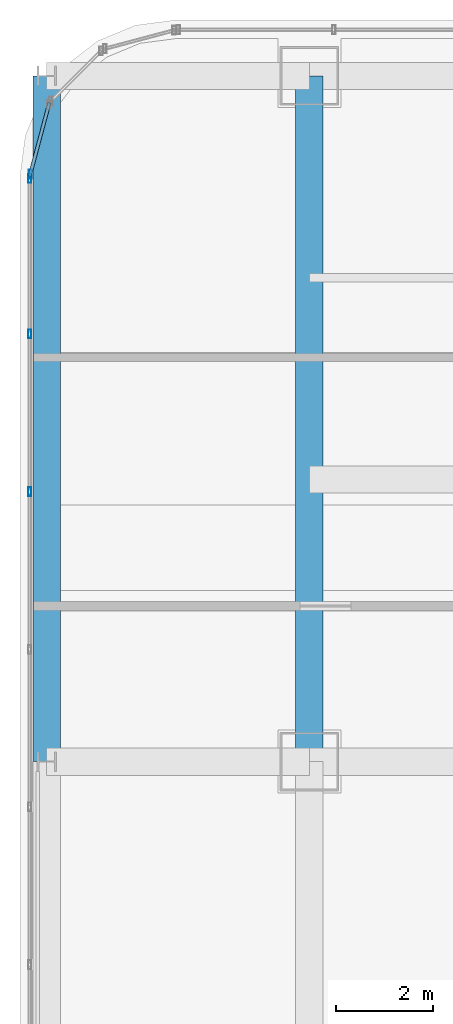
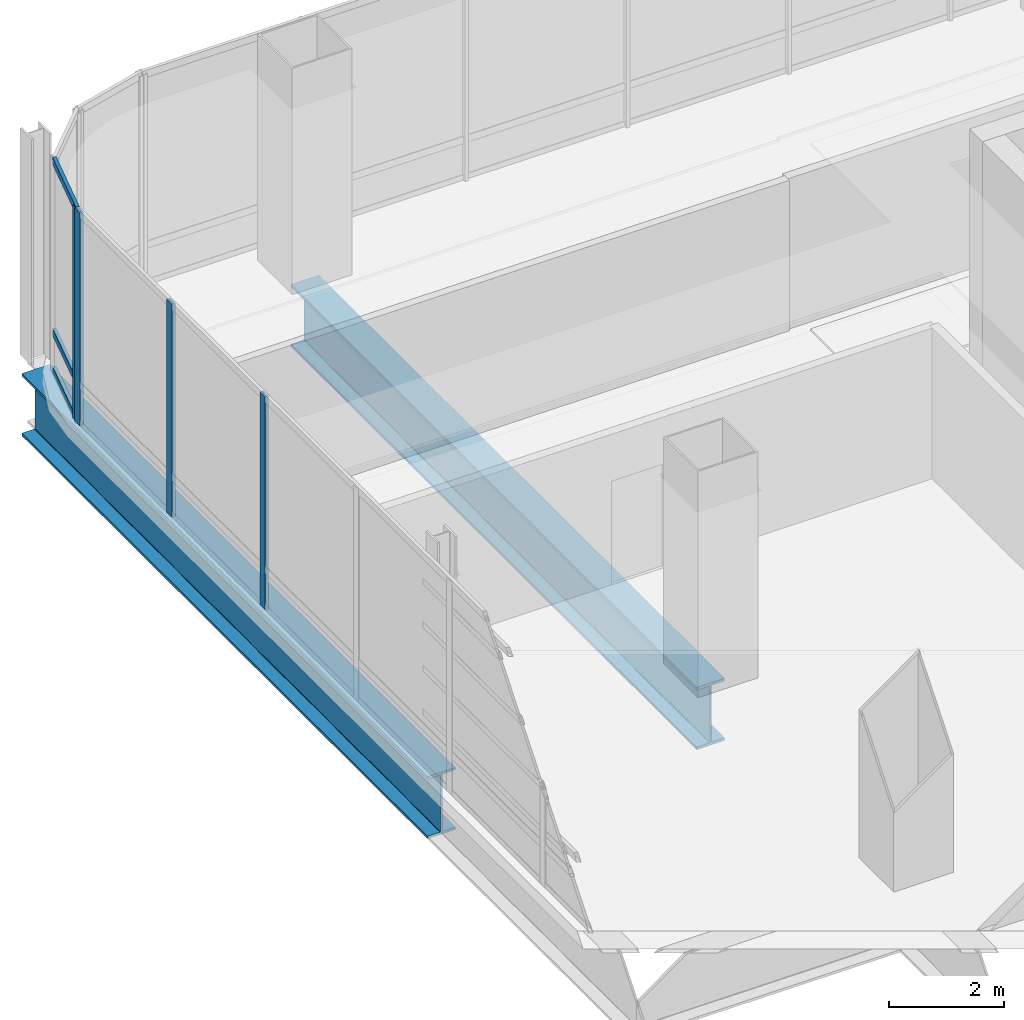
# One storey, part 23 of 45: 7 members, 2 beams, 2 elements without a shape of their own.
"""IFC4 building model written with IfcOpenShell, lengths in metres."""

from ifc_helpers import new_model, si_unit, direction, frame, origin, origin_2d, place, context, subcontext, project, spatial, hollow_rectangle, i_section, extrude, material, material_profile, profile_set, type_object, element, aggregate, save


model = new_model("IFC4")

# Units and contexts
model_context = context("Model", 3, precision=1e-05, world=origin(), true_north=direction((0.0, 1.0)))
body_context = subcontext(model_context, "Body", "Model", "MODEL_VIEW")
ifc_project = project(units=[si_unit("LENGTHUNIT", "METRE"), si_unit("AREAUNIT", "SQUARE_METRE"), si_unit("VOLUMEUNIT", "CUBIC_METRE"), si_unit("PLANEANGLEUNIT", "RADIAN"), si_unit("MASSUNIT", "GRAM", prefix="KILO")], contexts=[model_context])

# Site, building, storey
site_placement = place(None, origin())
site = spatial("IfcSite", under=ifc_project, at=site_placement, CompositionType="ELEMENT")
building_placement = place(site_placement, origin())
building = spatial("IfcBuilding", under=site, at=building_placement, Name="Punatoya Terracotta Tower", CompositionType="ELEMENT")
storey_placement = place(building_placement, frame((0.0, 0.0, 339.0)))
storey = spatial("IfcBuildingStorey", under=building, at=storey_placement, Name="L80", CompositionType="ELEMENT", Elevation=339.0)

# Beams
ifc_material_1 = material(Name="Steel S460", Category="steel")
ifc_material_profile_1 = material_profile(ifc_material_1, i_section(OverallWidth=0.56005859375, OverallDepth=1.320068359375, WebThickness=0.035888671875, FlangeThickness=0.054931640625, FilletRadius=0.01806640625, at=origin_2d()))
ifc_profile_set_1 = profile_set([ifc_material_profile_1], Name="Steel S460")
beam_type = type_object("IfcBeamType", Name="BM-TG-BLK", PredefinedType="BEAM", material=ifc_profile_set_1)
for number, where, z_axis, x_axis, name in (
    (1, (-19.10009765625, 3.39990234375, -0.919921875), (0.0, 1.0, 0.0), (-1.0, 0.0, 0.0), "BM-L80-RG-W3"),
    (2, (-24.5, 3.39990234375, -0.919921875), (0.0, 1.0, 0.0), (-1.0, 0.0, 0.0), "BM-L80-PER-W3"),
):
    element("IfcBeam", number, at=place(storey_placement, frame(where, z_axis=z_axis, x_axis=x_axis)), inside=storey, type_object=beam_type, Name=name, PredefinedType="BEAM", context=body_context, shape_type="SweptSolid", body=[
        extrude(i_section(OverallWidth=0.56005859375, OverallDepth=1.320068359375, WebThickness=0.035888671875, FlangeThickness=0.054931640625, FilletRadius=0.01806640625, at=origin_2d()), origin(), (0.0, 0.0, 1.0), 14.10009765625),
    ])

# Curtain wall, member
ifc_material_2 = material(Name="Aluminium 6063-T6 + Double Low-E Glass", Category="aluminium")
curtain_wall_type = type_object("IfcCurtainWallType", Name="CW-OBS", PredefinedType="NOTDEFINED", material=ifc_material_2)
curtain_wall_1_placement = place(storey_placement, origin())
curtain_wall_1 = element("IfcCurtainWall", 3, at=curtain_wall_1_placement, inside=storey, type_object=curtain_wall_type, Name="L80 Curtain Wall CW-L80-CRN12", PredefinedType="NOTDEFINED")
ifc_material_3 = material(Name="Aluminium 6063-T6", Category="aluminium")
ifc_material_profile_2 = material_profile(ifc_material_3, hollow_rectangle(XDim=0.070068359375, YDim=0.179931640625, WallThickness=0.00390625, at=origin_2d()))
ifc_profile_set_2 = profile_set([ifc_material_profile_2], Name="Aluminium 6063-T6")
member_type_1 = type_object("IfcMemberType", Name="CW-MUL-M3", PredefinedType="MULLION", material=ifc_profile_set_2)
member_1_placement = place(storey_placement, frame((-24.83837890625, 15.48046875, 0.0), z_axis=(0.0, 0.0, 1.0), x_axis=(1.0, 0.0, 0.0)))
member_1 = element("IfcMember", 4, at=member_1_placement, type_object=member_type_1, Name="CW-L80-CRN12 Mullion 01", PredefinedType="MULLION", context=body_context, shape_type="SweptSolid", body=[
    extrude(hollow_rectangle(XDim=0.070068359375, YDim=0.179931640625, WallThickness=0.00390625, at=origin_2d()), origin(), (0.0, 0.0, 1.0), 4.52001953125),
])

# Curtain wall, members
curtain_wall_2_placement = place(storey_placement, origin())
curtain_wall_2 = element("IfcCurtainWall", 5, at=curtain_wall_2_placement, inside=storey, type_object=curtain_wall_type, Name="L80 Curtain Wall CW-L80-W13-1", PredefinedType="NOTDEFINED")
member_2_placement = place(storey_placement, frame((-24.85009765625, 15.391845703125, 0.0), z_axis=(0.0, 0.0, 1.0), x_axis=(1.0, 0.0, 0.0)))
member_2 = element("IfcMember", 6, at=member_2_placement, type_object=member_type_1, Name="CW-L80-W13-1 Mullion 00", PredefinedType="MULLION", context=body_context, shape_type="SweptSolid", body=[
    extrude(hollow_rectangle(XDim=0.070068359375, YDim=0.179931640625, WallThickness=0.00390625, at=origin_2d()), origin(), (0.0, 0.0, 1.0), 4.52001953125),
])
member_3_placement = place(storey_placement, frame((-24.85009765625, 12.19384765625, 0.0), z_axis=(0.0, 0.0, 1.0), x_axis=(1.0, 0.0, 0.0)))
member_3 = element("IfcMember", 7, at=member_3_placement, type_object=member_type_1, Name="CW-L80-W13-1 Mullion 01", PredefinedType="MULLION", context=body_context, shape_type="SweptSolid", body=[
    extrude(hollow_rectangle(XDim=0.070068359375, YDim=0.179931640625, WallThickness=0.00390625, at=origin_2d()), origin(), (0.0, 0.0, 1.0), 4.52001953125),
])
member_4_placement = place(storey_placement, frame((-24.85009765625, 8.95068359375, 0.0), z_axis=(0.0, 0.0, 1.0), x_axis=(1.0, 0.0, 0.0)))
member_4 = element("IfcMember", 8, at=member_4_placement, type_object=member_type_1, Name="CW-L80-W13-1 Mullion 02", PredefinedType="MULLION", context=body_context, shape_type="SweptSolid", body=[
    extrude(hollow_rectangle(XDim=0.070068359375, YDim=0.179931640625, WallThickness=0.00390625, at=origin_2d()), origin(), (0.0, 0.0, 1.0), 4.52001953125),
])
aggregate(curtain_wall_2, [member_2, member_3, member_4])

# Member
ifc_material_profile_3 = material_profile(ifc_material_3, hollow_rectangle(XDim=0.068115234375, YDim=0.14990234375, WallThickness=0.00390625, at=origin_2d()))
ifc_profile_set_3 = profile_set([ifc_material_profile_3], Name="Aluminium 6063-T6")
member_type_2 = type_object("IfcMemberType", Name="CW-TRN-TYP", PredefinedType="USERDEFINED", material=ifc_profile_set_3)
member_5_placement = place(storey_placement, frame((-24.446533203125, 16.94921875, 0.0400390625), z_axis=(-0.257847112249, -0.966185730957, 0.0), x_axis=(0.966185730957, -0.257847112249, 0.0)))
member_5 = element("IfcMember", 9, at=member_5_placement, type_object=member_type_2, Name="CW-L80-CRN12 Transom 1", ObjectType="TRANSOM", PredefinedType="USERDEFINED", context=body_context, shape_type="SweptSolid", body=[
    extrude(hollow_rectangle(XDim=0.068115234375, YDim=0.14990234375, WallThickness=0.00390625, at=origin_2d()), origin(), (0.0, 0.0, 1.0), 1.565185546875),
])

member_6_placement = place(storey_placement, frame((-24.446533203125, 16.94921875, 0.85009765625), z_axis=(-0.257847112249, -0.966185730957, 0.0), x_axis=(0.966185730957, -0.257847112249, 0.0)))
member_6 = element("IfcMember", 10, at=member_6_placement, type_object=member_type_2, Name="CW-L80-CRN12 Transom 2", ObjectType="TRANSOM", PredefinedType="USERDEFINED", context=body_context, shape_type="SweptSolid", body=[
    extrude(hollow_rectangle(XDim=0.068115234375, YDim=0.14990234375, WallThickness=0.00390625, at=origin_2d()), origin(), (0.0, 0.0, 1.0), 1.565185546875),
])

member_7_placement = place(storey_placement, frame((-24.446533203125, 16.94921875, 4.47998046875), z_axis=(-0.257847112249, -0.966185730957, 0.0), x_axis=(0.966185730957, -0.257847112249, 0.0)))
member_7 = element("IfcMember", 11, at=member_7_placement, type_object=member_type_2, Name="CW-L80-CRN12 Transom 3", ObjectType="TRANSOM", PredefinedType="USERDEFINED", context=body_context, shape_type="SweptSolid", body=[
    extrude(hollow_rectangle(XDim=0.068115234375, YDim=0.14990234375, WallThickness=0.00390625, at=origin_2d()), origin(), (0.0, 0.0, 1.0), 1.565185546875),
])

aggregate(curtain_wall_1, [member_1, member_5, member_6, member_7])

save(model, "model.ifc")
